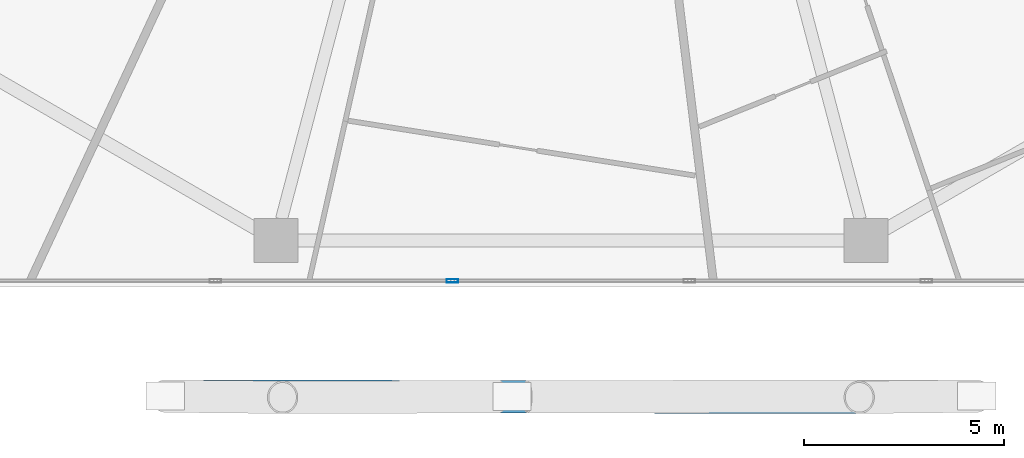
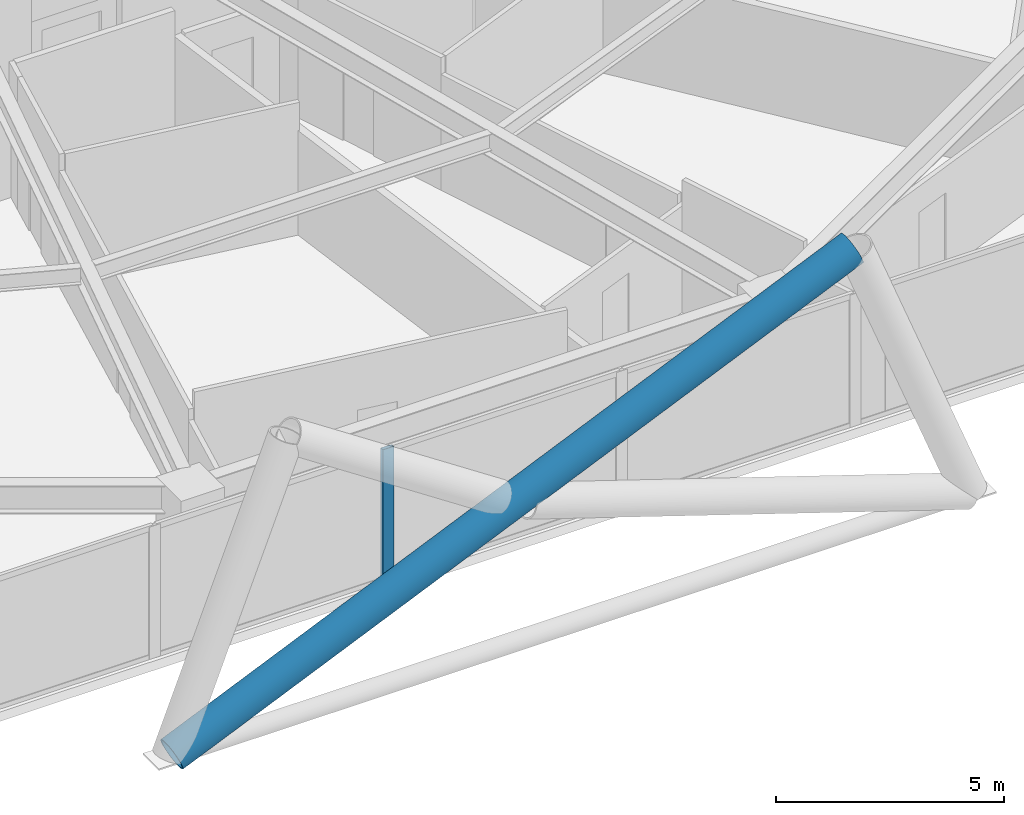
# One storey, part 4 of 36: 2 members, 1 element without a shape of its own.
"""IFC4 building model written with IfcOpenShell, lengths in metres."""

from ifc_helpers import new_model, si_unit, direction, frame, origin, origin_2d, place, context, subcontext, project, spatial, hollow_rectangle, hollow_circle, extrude, material, material_profile, profile_set, type_object, element, aggregate, save


model = new_model("IFC4")

# Units and contexts
model_context = context("Model", 3, precision=1e-05, world=origin(), true_north=direction((0.0, 1.0)))
body_context = subcontext(model_context, "Body", "Model", "MODEL_VIEW")
ifc_project = project(units=[si_unit("LENGTHUNIT", "METRE"), si_unit("AREAUNIT", "SQUARE_METRE"), si_unit("VOLUMEUNIT", "CUBIC_METRE"), si_unit("PLANEANGLEUNIT", "RADIAN"), si_unit("MASSUNIT", "GRAM", prefix="KILO")], contexts=[model_context])

# Site, building, storey
site_placement = place(None, origin())
site = spatial("IfcSite", under=ifc_project, at=site_placement, CompositionType="ELEMENT")
building_placement = place(site_placement, origin())
building = spatial("IfcBuilding", under=site, at=building_placement, Name="Zuhravey Tower", CompositionType="ELEMENT")
storey_placement = place(building_placement, frame((0.0, 0.0, 107.60009765625)))
storey = spatial("IfcBuildingStorey", under=building, at=storey_placement, Name="L26", CompositionType="ELEMENT", Elevation=107.60009765625)

# Curtain wall, member
ifc_material_1 = material(Name="Thermally broken anodised aluminium", Category="aluminium")
curtain_wall_type = type_object("IfcCurtainWallType", Name="Zone 1-2 Residential Curtain Wall CW3", PredefinedType="NOTDEFINED", material=ifc_material_1)
curtain_wall_placement = place(storey_placement, origin())
curtain_wall = element("IfcCurtainWall", 1, at=curtain_wall_placement, inside=storey, type_object=curtain_wall_type, Name="L26 CW3 CW-L26-F5-1", PredefinedType="NOTDEFINED")
ifc_material_2 = material(Name="Anodised aluminium", Category="aluminium")
ifc_material_profile_1 = material_profile(ifc_material_2, hollow_rectangle(XDim=0.090087890625, YDim=0.284912109375, WallThickness=0.0048828125, at=origin_2d()), Name="ALU-RHS-90x285x5")
ifc_profile_set_1 = profile_set([ifc_material_profile_1], Name="Anodised aluminium")
member_type_1 = type_object("IfcMemberType", Name="Curtain-Wall Mullion 90x180", PredefinedType="MULLION", material=ifc_profile_set_1)
member_1_placement = place(storey_placement, frame((33.0400390625, 3.04150390625, 0.0), z_axis=(0.0, 0.0, 1.0), x_axis=(0.0, -1.0, 0.0)))
member_1 = element("IfcMember", 2, at=member_1_placement, type_object=member_type_1, Name="CW3 mullion 4", PredefinedType="MULLION", context=body_context, shape_type="SweptSolid", body=[
    extrude(hollow_rectangle(XDim=0.090087890625, YDim=0.284912109375, WallThickness=0.0048828125, at=origin_2d()), origin(), (0.0, 0.0, 1.0), 3.5498046875),
])
aggregate(curtain_wall, [member_1])

# Member
ifc_material_3 = material(Name="Steel SM460", Category="steel")
ifc_material_profile_2 = material_profile(ifc_material_3, hollow_circle(Radius=0.406494140625, WallThickness=0.035888671875, at=origin_2d()), Name="CHS-812.8x36")
ifc_profile_set_2 = profile_set([ifc_material_profile_2], Name="Steel SM460")
member_type_2 = type_object("IfcMemberType", Name="Exoskeleton Zone 1 Diagrid CHS813x36", PredefinedType="BRACE", material=ifc_profile_set_2)
member_2_placement = place(storey_placement, frame((25.913330078125, 0.161376953125, -0.442138671875), z_axis=(0.915807994729, -0.001583095888, 0.401613259987), x_axis=(0.00172863038, 0.999998505917, 0.0)))
element("IfcMember", 3, at=member_2_placement, inside=storey, type_object=member_type_2, Name="L26 Face 5 Diagrid Brace 2", PredefinedType="BRACE", context=body_context, shape_type="SweptSolid", body=[
    extrude(hollow_circle(Radius=0.406494140625, WallThickness=0.035888671875, at=origin_2d()), origin(), (0.0, 0.0, 1.0), 18.814453125),
])

save(model, "model.ifc")
